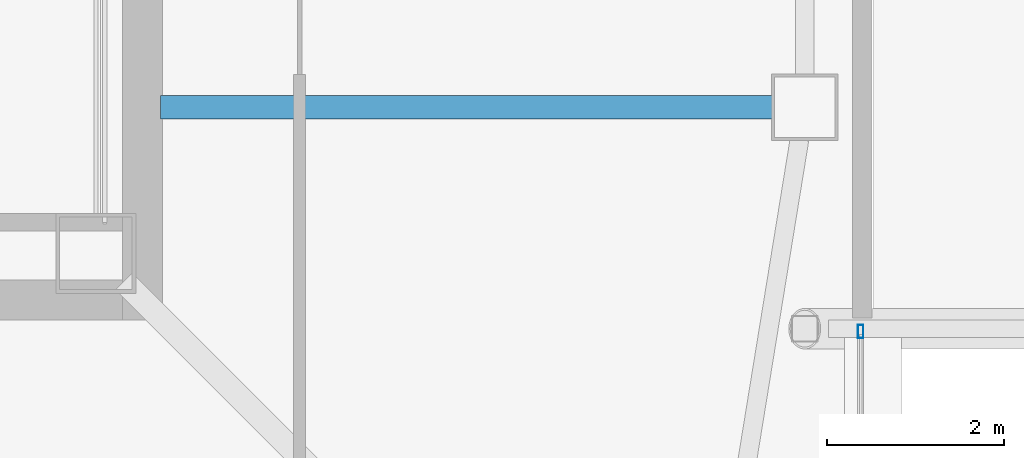
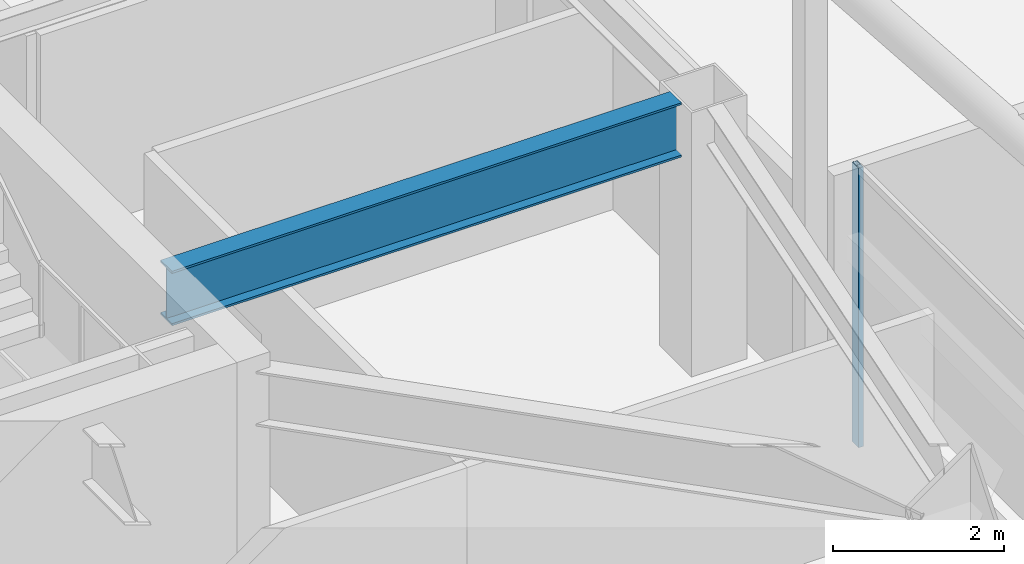
# One storey, part 13 of 53: 1 beam, 1 member, 1 element without a shape of its own.
"""IFC4 building model written with IfcOpenShell, lengths in metres."""

from ifc_helpers import new_model, si_unit, direction, frame, origin, origin_2d, place, context, subcontext, project, spatial, hollow_rectangle, i_section, extrude, material, material_profile, profile_set, type_object, element, aggregate, save


model = new_model("IFC4")

# Units and contexts
model_context = context("Model", 3, precision=1e-05, world=origin(), true_north=direction((0.0, 1.0)))
body_context = subcontext(model_context, "Body", "Model", "MODEL_VIEW")
ifc_project = project(units=[si_unit("LENGTHUNIT", "METRE"), si_unit("AREAUNIT", "SQUARE_METRE"), si_unit("VOLUMEUNIT", "CUBIC_METRE"), si_unit("PLANEANGLEUNIT", "RADIAN"), si_unit("MASSUNIT", "GRAM", prefix="KILO")], contexts=[model_context])

# Site, building, storey
site_placement = place(None, origin())
site = spatial("IfcSite", under=ifc_project, at=site_placement, CompositionType="ELEMENT")
building_placement = place(site_placement, origin())
building = spatial("IfcBuilding", under=site, at=building_placement, Name="Tashvorn Skyway Center", CompositionType="ELEMENT")
storey_placement = place(building_placement, frame((0.0, 0.0, 255.39990234375)))
storey = spatial("IfcBuildingStorey", under=building, at=storey_placement, Name="L69", CompositionType="ELEMENT", Elevation=255.39990234375)

# Beam
ifc_material_1 = material(Name="Steel ASTM A992 Grade 50", Category="steel")
ifc_material_profile_1 = material_profile(ifc_material_1, i_section(OverallWidth=0.26708984375, OverallDepth=0.779052734375, WebThickness=0.0166015625, FlangeThickness=0.030029296875, at=origin_2d()), Name="W30X148")
ifc_profile_set_1 = profile_set([ifc_material_profile_1], Name="Steel ASTM A992 Grade 50")
beam_type = type_object("IfcBeamType", Name="BM-BEAM-W30X148", PredefinedType="BEAM", material=ifc_profile_set_1)
beam_placement = place(storey_placement, frame((56.679931640625, 26.60009765625, 3.390625), z_axis=(-1.0, 0.0, 0.0), x_axis=(0.0, -1.0, 0.0)))
element("IfcBeam", 1, at=beam_placement, inside=storey, type_object=beam_type, Name="Tower 1 L69 Primary Floor Girder FC-E1", PredefinedType="BEAM", context=body_context, shape_type="SweptSolid", body=[
    extrude(i_section(OverallWidth=0.26708984375, OverallDepth=0.779052734375, WebThickness=0.0166015625, FlangeThickness=0.030029296875, at=origin_2d()), origin(), (0.0, 0.0, 1.0), 6.89990234375),
])

# Curtain wall, member
ifc_material_2 = material(Name="Thermally broken bronze-anodized aluminium 6063-T6", Category="aluminium")
curtain_wall_type = type_object("IfcCurtainWallType", Name="CW-CW-SKY", PredefinedType="NOTDEFINED", material=ifc_material_2)
curtain_wall_placement = place(storey_placement, origin())
curtain_wall = element("IfcCurtainWall", 2, at=curtain_wall_placement, inside=storey, type_object=curtain_wall_type, Name="Tower 1 L69 East Curtain Wall B", PredefinedType="NOTDEFINED")
ifc_material_profile_2 = material_profile(ifc_material_2, hollow_rectangle(XDim=0.06494140625, YDim=0.14990234375, WallThickness=0.00390625, at=origin_2d()), Name="ALU-MULL-65x150")
ifc_profile_set_2 = profile_set([ifc_material_profile_2], Name="Thermally broken bronze-anodized aluminium 6063-T6")
member_type = type_object("IfcMemberType", Name="CWM-CW-SKY", PredefinedType="MULLION", material=ifc_profile_set_2)
member_placement = place(storey_placement, frame((57.679931640625, 24.0673828125, 0.0), z_axis=(0.0, 0.0, 1.0), x_axis=(1.0, 0.0, 0.0)))
member = element("IfcMember", 3, at=member_placement, type_object=member_type, Name="CW-SKY mullion 1", PredefinedType="MULLION", context=body_context, shape_type="SweptSolid", body=[
    extrude(hollow_rectangle(XDim=0.06494140625, YDim=0.14990234375, WallThickness=0.00390625, at=origin_2d()), origin(), (0.0, 0.0, 1.0), 4.0),
])
aggregate(curtain_wall, [member])

save(model, "model.ifc")
